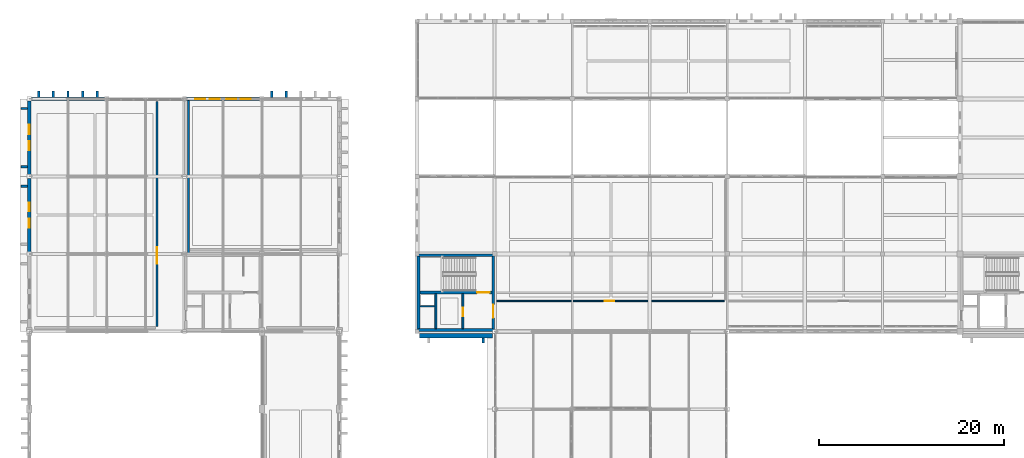
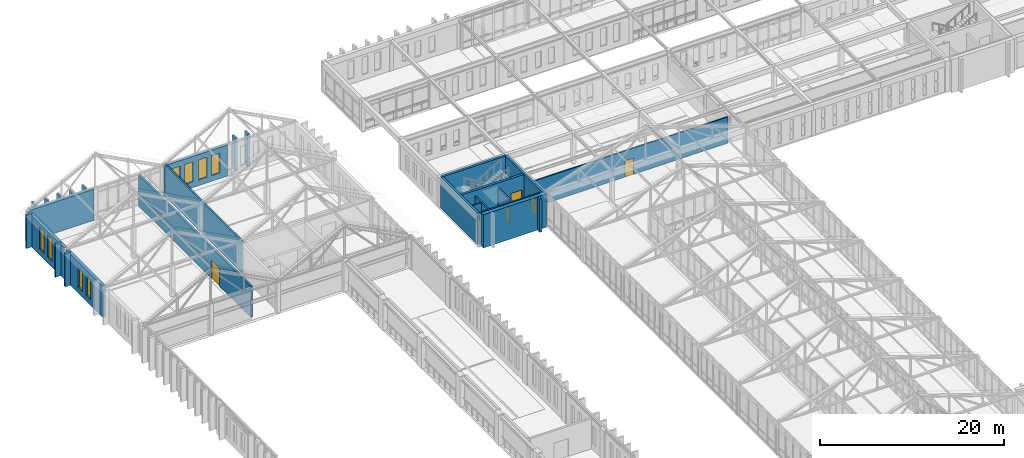
# One storey, part 166 of 192: 27 walls, 8 windows, 5 doors, 13 openings.
"""IFC4 building model written with IfcOpenShell, lengths in metres."""

from ifc_helpers import new_model, si_unit, direction, frame, frame_2d, origin, place, context, subcontext, project, spatial, rectangle, extrude, material, layer, layer_set, type_object, element, fill, save


model = new_model("IFC4")

# Units and contexts
model_context = context("Model", 3, precision=1e-05, world=origin(), true_north=direction((0.0, 1.0)))
body_context = subcontext(model_context, "Body", "Model", "MODEL_VIEW")
ifc_project = project(units=[si_unit("LENGTHUNIT", "METRE"), si_unit("AREAUNIT", "SQUARE_METRE"), si_unit("VOLUMEUNIT", "CUBIC_METRE"), si_unit("PLANEANGLEUNIT", "RADIAN"), si_unit("MASSUNIT", "GRAM", prefix="KILO")], contexts=[model_context])

# Site, building, storey
site_placement = place(None, origin())
site = spatial("IfcSite", under=ifc_project, at=site_placement, CompositionType="ELEMENT")
building_placement = place(site_placement, origin())
building = spatial("IfcBuilding", under=site, at=building_placement, Name="Kveldsbrygga Polytechnic", CompositionType="ELEMENT")
storey_placement = place(building_placement, frame((0.0, 0.0, 5.43994140625)))
storey = spatial("IfcBuildingStorey", under=building, at=storey_placement, Name="L01", CompositionType="ELEMENT", Elevation=5.43994140625)

# Wall
ifc_material_1 = material(Name="Fired clay brick masonry M10", Category="masonry")
ifc_layer_1 = layer(ifc_material_1, 0.47998046875)
ifc_layer_set_1 = layer_set([ifc_layer_1], Name="Fired clay brick masonry M10")
wall_type_1 = type_object("IfcWallType", Name="EW-BAST-480", PredefinedType="SOLIDWALL", material=ifc_layer_set_1)
wall_1_placement = place(storey_placement, frame((42.239990234375, 83.52001953125, 0.0), z_axis=(0.0, 0.0, 1.0), x_axis=(1.0, 0.0, 0.0)))
element("IfcWall", 1, at=wall_1_placement, inside=storey, type_object=wall_type_1, Name="Corner Stair Bastion Wall BAST-L01-X-05-10", PredefinedType="SOLIDWALL", context=body_context, shape_type="SweptSolid", body=[
    extrude(rectangle(XDim=7.919921875, YDim=0.47998046875, at=frame_2d((3.9599609375, 0.0))), origin(), (0.0, 0.0, 1.0), 4.420166015625),
])

# Wall, openings, windows
ifc_layer_2 = layer(ifc_material_1, 0.3798828125)
ifc_layer_set_2 = layer_set([ifc_layer_2], Name="Fired clay brick masonry M10")
wall_type_2 = type_object("IfcWallType", Name="EW-BRICK-380", PredefinedType="SOLIDWALL", material=ifc_layer_set_2)
wall_2_placement = place(storey_placement, frame((0.0, 92.625, 0.0), z_axis=(0.0, 0.0, 1.0), x_axis=(0.0, 1.0, 0.0)))
wall_2 = element("IfcWall", 2, at=wall_2_placement, inside=storey, type_object=wall_type_2, Name="Exterior Brick Wall EW-L01-Y-00-11", PredefinedType="SOLIDWALL", context=body_context, shape_type="SweptSolid", body=[
    extrude(rectangle(XDim=7.949951171875, YDim=0.3798828125, at=frame_2d((3.97509765625, 0.0))), origin(), (0.0, 0.0, 1.0), 4.1201171875),
])
opening_1_placement = place(wall_2_placement, frame((2.630615234375, 0.0, 0.75)))
opening_1 = element("IfcOpeningElement", 3, at=opening_1_placement, cuts=wall_2, Name="Opening W-24", PredefinedType="OPENING", context=body_context, shape_type="SweptSolid", body=[
    extrude(rectangle(XDim=0.93994140625, YDim=2.550048828125, at=frame_2d((0.469970703125, 1.27490234375))), frame((0.0, 0.199951171875, 0.0), z_axis=(0.0, -1.0, 0.0), x_axis=(1.0, 0.0, 0.0)), (0.0, 0.0, 1.0), 0.39990234375),
])
opening_2_placement = place(wall_2_placement, frame((4.37939453125, 0.0, 0.75)))
opening_2 = element("IfcOpeningElement", 4, at=opening_2_placement, cuts=wall_2, Name="Opening W-24", PredefinedType="OPENING", context=body_context, shape_type="SweptSolid", body=[
    extrude(rectangle(XDim=0.93994140625, YDim=2.550048828125, at=frame_2d((0.469970703125, 1.27490234375))), frame((0.0, 0.199951171875, 0.0), z_axis=(0.0, -1.0, 0.0), x_axis=(1.0, 0.0, 0.0)), (0.0, 0.0, 1.0), 0.39990234375),
])
ifc_material_2 = material(Name="Insulated triple low-E glass", Category="glass")
window_type_1 = type_object("IfcWindowType", Name="WN-LANC-094x255", PartitioningType="DOUBLE_PANEL_VERTICAL", PredefinedType="WINDOW", material=ifc_material_2)
window_1_placement = place(opening_1_placement, origin())
window_1 = element("IfcWindow", 5, at=window_1_placement, inside=storey, type_object=window_type_1, Name="Gothic Lancet Window WIN-L01-Y-00-11-2", OverallHeight=2.550048828125, OverallWidth=0.93994140625, PartitioningType="DOUBLE_PANEL_VERTICAL", PredefinedType="WINDOW", context=body_context, shape_type="SweptSolid", body=[
    extrude(rectangle(XDim=0.93994140625, YDim=2.550048828125, at=frame_2d((0.469970703125, 1.27490234375))), frame((0.0, 0.030029296875, 0.0), z_axis=(0.0, -1.0, 0.0), x_axis=(1.0, 0.0, 0.0)), (0.0, 0.0, 1.0), 0.06005859375),
])
fill(opening_1, window_1)
window_2_placement = place(opening_2_placement, origin())
window_2 = element("IfcWindow", 6, at=window_2_placement, inside=storey, type_object=window_type_1, Name="Gothic Lancet Window WIN-L01-Y-00-11-3", OverallHeight=2.550048828125, OverallWidth=0.93994140625, PartitioningType="DOUBLE_PANEL_VERTICAL", PredefinedType="WINDOW", context=body_context, shape_type="SweptSolid", body=[
    extrude(rectangle(XDim=0.93994140625, YDim=2.550048828125, at=frame_2d((0.469970703125, 1.27490234375))), frame((0.0, 0.030029296875, 0.0), z_axis=(0.0, -1.0, 0.0), x_axis=(1.0, 0.0, 0.0)), (0.0, 0.0, 1.0), 0.06005859375),
])
fill(opening_2, window_2)

# Wall
wall_3_placement = place(storey_placement, frame((0.22509765625, 109.199951171875, 0.0), z_axis=(0.0, 0.0, 1.0), x_axis=(1.0, 0.0, 0.0)))
element("IfcWall", 7, at=wall_3_placement, inside=storey, type_object=wall_type_2, Name="Exterior Brick Wall EW-L01-X-00-13", PredefinedType="SOLIDWALL", context=body_context, shape_type="SweptSolid", body=[
    extrude(rectangle(XDim=7.96484375, YDim=0.3798828125, at=frame_2d((3.982421875, 0.0))), origin(), (0.0, 0.0, 1.0), 4.1201171875),
])

# Wall, openings, windows
wall_4_placement = place(storey_placement, frame((16.985107421875, 109.199951171875, 0.0), z_axis=(0.0, 0.0, 1.0), x_axis=(1.0, 0.0, 0.0)))
wall_4 = element("IfcWall", 8, at=wall_4_placement, inside=storey, type_object=wall_type_2, Name="Exterior Brick Wall EW-L01-X-02-13", PredefinedType="SOLIDWALL", context=body_context, shape_type="SweptSolid", body=[
    extrude(rectangle(XDim=7.989990234375, YDim=0.3798828125, at=frame_2d((3.9951171875, 0.0))), origin(), (0.0, 0.0, 1.0), 4.1201171875),
])
opening_3_placement = place(wall_4_placement, frame((0.97802734375, 0.0, 0.75)))
opening_3 = element("IfcOpeningElement", 9, at=opening_3_placement, cuts=wall_4, Name="Opening W-40", PredefinedType="OPENING", context=body_context, shape_type="SweptSolid", body=[
    extrude(rectangle(XDim=1.080078125, YDim=2.64990234375, at=frame_2d((0.5400390625, 1.324951171875))), frame((0.0, 0.199951171875, 0.0), z_axis=(0.0, -1.0, 0.0), x_axis=(1.0, 0.0, 0.0)), (0.0, 0.0, 1.0), 0.39990234375),
])
opening_4_placement = place(wall_4_placement, frame((2.576171875, 0.0, 0.75)))
opening_4 = element("IfcOpeningElement", 10, at=opening_4_placement, cuts=wall_4, Name="Opening W-40", PredefinedType="OPENING", context=body_context, shape_type="SweptSolid", body=[
    extrude(rectangle(XDim=1.080078125, YDim=2.64990234375, at=frame_2d((0.5400390625, 1.324951171875))), frame((0.0, 0.199951171875, 0.0), z_axis=(0.0, -1.0, 0.0), x_axis=(1.0, 0.0, 0.0)), (0.0, 0.0, 1.0), 0.39990234375),
])
opening_5_placement = place(wall_4_placement, frame((4.333984375, 0.0, 0.75)))
opening_5 = element("IfcOpeningElement", 11, at=opening_5_placement, cuts=wall_4, Name="Opening W-40", PredefinedType="OPENING", context=body_context, shape_type="SweptSolid", body=[
    extrude(rectangle(XDim=1.080078125, YDim=2.64990234375, at=frame_2d((0.5400390625, 1.324951171875))), frame((0.0, 0.199951171875, 0.0), z_axis=(0.0, -1.0, 0.0), x_axis=(1.0, 0.0, 0.0)), (0.0, 0.0, 1.0), 0.39990234375),
])
opening_6_placement = place(wall_4_placement, frame((5.931884765625, 0.0, 0.75)))
opening_6 = element("IfcOpeningElement", 12, at=opening_6_placement, cuts=wall_4, Name="Opening W-40", PredefinedType="OPENING", context=body_context, shape_type="SweptSolid", body=[
    extrude(rectangle(XDim=1.080078125, YDim=2.64990234375, at=frame_2d((0.5400390625, 1.324951171875))), frame((0.0, 0.199951171875, 0.0), z_axis=(0.0, -1.0, 0.0), x_axis=(1.0, 0.0, 0.0)), (0.0, 0.0, 1.0), 0.39990234375),
])
window_type_2 = type_object("IfcWindowType", Name="WN-LANC-108x265", PartitioningType="DOUBLE_PANEL_VERTICAL", PredefinedType="WINDOW", material=ifc_material_2)
window_3_placement = place(opening_3_placement, origin())
window_3 = element("IfcWindow", 13, at=window_3_placement, inside=storey, type_object=window_type_2, Name="Gothic Lancet Window WIN-L01-X-02-13-1", OverallHeight=2.64990234375, OverallWidth=1.080078125, PartitioningType="DOUBLE_PANEL_VERTICAL", PredefinedType="WINDOW", context=body_context, shape_type="SweptSolid", body=[
    extrude(rectangle(XDim=1.080078125, YDim=2.64990234375, at=frame_2d((0.5400390625, 1.324951171875))), frame((0.0, 0.030029296875, 0.0), z_axis=(0.0, -1.0, 0.0), x_axis=(1.0, 0.0, 0.0)), (0.0, 0.0, 1.0), 0.06005859375),
])
fill(opening_3, window_3)
window_4_placement = place(opening_4_placement, origin())
window_4 = element("IfcWindow", 14, at=window_4_placement, inside=storey, type_object=window_type_2, Name="Gothic Lancet Window WIN-L01-X-02-13-2", OverallHeight=2.64990234375, OverallWidth=1.080078125, PartitioningType="DOUBLE_PANEL_VERTICAL", PredefinedType="WINDOW", context=body_context, shape_type="SweptSolid", body=[
    extrude(rectangle(XDim=1.080078125, YDim=2.64990234375, at=frame_2d((0.5400390625, 1.324951171875))), frame((0.0, 0.030029296875, 0.0), z_axis=(0.0, -1.0, 0.0), x_axis=(1.0, 0.0, 0.0)), (0.0, 0.0, 1.0), 0.06005859375),
])
fill(opening_4, window_4)
window_5_placement = place(opening_5_placement, origin())
window_5 = element("IfcWindow", 15, at=window_5_placement, inside=storey, type_object=window_type_2, Name="Gothic Lancet Window WIN-L01-X-02-13-3", OverallHeight=2.64990234375, OverallWidth=1.080078125, PartitioningType="DOUBLE_PANEL_VERTICAL", PredefinedType="WINDOW", context=body_context, shape_type="SweptSolid", body=[
    extrude(rectangle(XDim=1.080078125, YDim=2.64990234375, at=frame_2d((0.5400390625, 1.324951171875))), frame((0.0, 0.030029296875, 0.0), z_axis=(0.0, -1.0, 0.0), x_axis=(1.0, 0.0, 0.0)), (0.0, 0.0, 1.0), 0.06005859375),
])
fill(opening_5, window_5)
window_6_placement = place(opening_6_placement, origin())
window_6 = element("IfcWindow", 16, at=window_6_placement, inside=storey, type_object=window_type_2, Name="Gothic Lancet Window WIN-L01-X-02-13-4", OverallHeight=2.64990234375, OverallWidth=1.080078125, PartitioningType="DOUBLE_PANEL_VERTICAL", PredefinedType="WINDOW", context=body_context, shape_type="SweptSolid", body=[
    extrude(rectangle(XDim=1.080078125, YDim=2.64990234375, at=frame_2d((0.5400390625, 1.324951171875))), frame((0.0, 0.030029296875, 0.0), z_axis=(0.0, -1.0, 0.0), x_axis=(1.0, 0.0, 0.0)), (0.0, 0.0, 1.0), 0.06005859375),
])
fill(opening_6, window_6)

ifc_layer_3 = layer(ifc_material_1, 0.39990234375)
ifc_layer_set_3 = layer_set([ifc_layer_3], Name="Fired clay brick masonry M10")
wall_type_3 = type_object("IfcWallType", Name="EW-BRICK-400", PredefinedType="SOLIDWALL", material=ifc_layer_set_3)
wall_5_placement = place(storey_placement, frame((0.0, 101.02490234375, 0.0), z_axis=(0.0, 0.0, 1.0), x_axis=(0.0, 1.0, 0.0)))
wall_5 = element("IfcWall", 17, at=wall_5_placement, inside=storey, type_object=wall_type_3, Name="Exterior Brick Wall EW-L01-Y-00-12", PredefinedType="SOLIDWALL", context=body_context, shape_type="SweptSolid", body=[
    extrude(rectangle(XDim=7.9501953125, YDim=0.39990234375, at=frame_2d((3.97509765625, 0.0))), origin(), (0.0, 0.0, 1.0), 4.1201171875),
])
opening_7_placement = place(wall_5_placement, frame((2.610595703125, 0.0, 0.75)))
opening_7 = element("IfcOpeningElement", 18, at=opening_7_placement, cuts=wall_5, Name="Opening W-29", PredefinedType="OPENING", context=body_context, shape_type="SweptSolid", body=[
    extrude(rectangle(XDim=0.97998046875, YDim=2.949951171875, at=frame_2d((0.489990234375, 1.47509765625))), frame((0.0, 0.2099609375, 0.0), z_axis=(0.0, -1.0, 0.0), x_axis=(1.0, 0.0, 0.0)), (0.0, 0.0, 1.0), 0.419921875),
])
opening_8_placement = place(wall_5_placement, frame((4.359619140625, 0.0, 0.75)))
opening_8 = element("IfcOpeningElement", 19, at=opening_8_placement, cuts=wall_5, Name="Opening W-29", PredefinedType="OPENING", context=body_context, shape_type="SweptSolid", body=[
    extrude(rectangle(XDim=0.97998046875, YDim=2.949951171875, at=frame_2d((0.489990234375, 1.47509765625))), frame((0.0, 0.2099609375, 0.0), z_axis=(0.0, -1.0, 0.0), x_axis=(1.0, 0.0, 0.0)), (0.0, 0.0, 1.0), 0.419921875),
])
window_type_3 = type_object("IfcWindowType", Name="WN-LANC-098x295", PartitioningType="DOUBLE_PANEL_VERTICAL", PredefinedType="WINDOW", material=ifc_material_2)
window_7_placement = place(opening_7_placement, origin())
window_7 = element("IfcWindow", 20, at=window_7_placement, inside=storey, type_object=window_type_3, Name="Gothic Lancet Window WIN-L01-Y-00-12-2", OverallHeight=2.949951171875, OverallWidth=0.97998046875, PartitioningType="DOUBLE_PANEL_VERTICAL", PredefinedType="WINDOW", context=body_context, shape_type="SweptSolid", body=[
    extrude(rectangle(XDim=0.97998046875, YDim=2.949951171875, at=frame_2d((0.489990234375, 1.47509765625))), frame((0.0, 0.030029296875, 0.0), z_axis=(0.0, -1.0, 0.0), x_axis=(1.0, 0.0, 0.0)), (0.0, 0.0, 1.0), 0.06005859375),
])
fill(opening_7, window_7)
window_8_placement = place(opening_8_placement, origin())
window_8 = element("IfcWindow", 21, at=window_8_placement, inside=storey, type_object=window_type_3, Name="Gothic Lancet Window WIN-L01-Y-00-12-3", OverallHeight=2.949951171875, OverallWidth=0.97998046875, PartitioningType="DOUBLE_PANEL_VERTICAL", PredefinedType="WINDOW", context=body_context, shape_type="SweptSolid", body=[
    extrude(rectangle(XDim=0.97998046875, YDim=2.949951171875, at=frame_2d((0.489990234375, 1.47509765625))), frame((0.0, 0.030029296875, 0.0), z_axis=(0.0, -1.0, 0.0), x_axis=(1.0, 0.0, 0.0)), (0.0, 0.0, 1.0), 0.06005859375),
])
fill(opening_8, window_8)

# Walls
ifc_layer_4 = layer(ifc_material_1, 0.260009765625)
ifc_layer_set_4 = layer_set([ifc_layer_4], Name="Fired clay brick masonry M10")
wall_type_4 = type_object("IfcWallType", Name="EW-BUTT-260", PredefinedType="SOLIDWALL", material=ifc_layer_set_4)
for number, where, z_axis, x_axis, name in (
    (22, (-0.1650390625, 99.75, 0.0), (0.0, 0.0, 1.0), (-1.0, 0.0, 0.0), "Gothic Brick Buttress Pier BUTT-L01-Y-00-11-5"),
    (23, (1.050048828125, 109.364990234375, 0.0), (0.0, 0.0, 1.0), (0.0, 1.0, 0.0), "Gothic Brick Buttress Pier BUTT-L01-X-00-13-1"),
    (24, (2.6201171875, 109.364990234375, 0.0), (0.0, 0.0, 1.0), (0.0, 1.0, 0.0), "Gothic Brick Buttress Pier BUTT-L01-X-00-13-2"),
    (25, (4.199951171875, 109.364990234375, 0.0), (0.0, 0.0, 1.0), (0.0, 1.0, 0.0), "Gothic Brick Buttress Pier BUTT-L01-X-00-13-3"),
    (26, (5.780029296875, 109.364990234375, 0.0), (0.0, 0.0, 1.0), (0.0, 1.0, 0.0), "Gothic Brick Buttress Pier BUTT-L01-X-00-13-4"),
    (27, (7.35009765625, 109.364990234375, 0.0), (0.0, 0.0, 1.0), (0.0, 1.0, 0.0), "Gothic Brick Buttress Pier BUTT-L01-X-00-13-5"),
    (28, (-0.1650390625, 101.85009765625, 0.0), (0.0, 0.0, 1.0), (-1.0, 0.0, 0.0), "Gothic Brick Buttress Pier BUTT-L01-Y-00-12-1"),
    (29, (-0.1650390625, 108.14990234375, 0.0), (0.0, 0.0, 1.0), (-1.0, 0.0, 0.0), "Gothic Brick Buttress Pier BUTT-L01-Y-00-12-5"),
    (30, (26.25, 109.364990234375, 0.0), (0.0, 0.0, 1.0), (0.0, 1.0, 0.0), "Gothic Brick Buttress Pier BUTT-L01-X-03-13-1"),
    (31, (27.820068359375, 109.364990234375, 0.0), (0.0, 0.0, 1.0), (0.0, 1.0, 0.0), "Gothic Brick Buttress Pier BUTT-L01-X-03-13-2"),
):
    element("IfcWall", number, at=place(storey_placement, frame(where, z_axis=z_axis, x_axis=x_axis)), inside=storey, type_object=wall_type_4, Name=name, PredefinedType="SOLIDWALL", context=body_context, shape_type="SweptSolid", body=[
        extrude(rectangle(XDim=0.699951171875, YDim=0.260009765625, at=frame_2d((0.35009765625, 0.0))), origin(), (0.0, 0.0, 1.0), 4.420166015625),
    ])
wall_6_placement = place(storey_placement, frame((49.14990234375, 83.300048828125, 0.0), z_axis=(0.0, 0.0, 1.0), x_axis=(0.0, -1.0, 0.0)))
element("IfcWall", 32, at=wall_6_placement, inside=storey, type_object=wall_type_4, Name="Gothic Brick Buttress Pier BCLAS-L01-X-05-10-2", PredefinedType="SOLIDWALL", context=body_context, shape_type="SweptSolid", body=[
    extrude(rectangle(XDim=0.52001953125, YDim=0.260009765625, at=frame_2d((0.260009765625, 0.0))), origin(), (0.0, 0.0, 1.0), 4.420166015625),
])

# Wall, opening, door
ifc_layer_5 = layer(ifc_material_1, 0.239990234375)
ifc_layer_set_5 = layer_set([ifc_layer_5], Name="Fired clay brick masonry M10")
wall_type_5 = type_object("IfcWallType", Name="IW-COMP-240", PredefinedType="PARTITIONING", material=ifc_layer_set_5)
wall_7_placement = place(storey_placement, frame((13.85009765625, 84.550048828125, 0.0), z_axis=(0.0, 0.0, 1.0), x_axis=(0.0, 1.0, 0.0)))
wall_7 = element("IfcWall", 33, at=wall_7_placement, inside=storey, type_object=wall_type_5, Name="Partition Wall IW-SP-L01-WK3W-E1", PredefinedType="PARTITIONING", context=body_context, shape_type="SweptSolid", body=[
    extrude(rectangle(XDim=24.369873046875, YDim=0.239990234375, at=frame_2d((12.18505859375, 0.0))), origin(), (0.0, 0.0, 1.0), 4.1201171875),
])
opening_9_placement = place(wall_7_placement, frame((6.77099609375, 0.0, 0.0)))
opening_9 = element("IfcOpeningElement", 34, at=opening_9_placement, cuts=wall_7, Name="Opening ID-L01-042", PredefinedType="OPENING", context=body_context, shape_type="SweptSolid", body=[
    extrude(rectangle(XDim=1.800048828125, YDim=2.39990234375, at=frame_2d((0.89990234375, 1.199951171875))), frame((0.0, 0.1298828125, 0.0), z_axis=(0.0, -1.0, 0.0), x_axis=(1.0, 0.0, 0.0)), (0.0, 0.0, 1.0), 0.260009765625),
])
ifc_material_3 = material(Name="Powder-coated galvanised steel", Category="steel")
door_type_1 = type_object("IfcDoorType", Name="ID-WRK-180x240", OperationType="DOUBLE_DOOR_SINGLE_SWING", PredefinedType="DOOR", material=ifc_material_3)
door_1_placement = place(opening_9_placement, origin())
door_1 = element("IfcDoor", 35, at=door_1_placement, inside=storey, type_object=door_type_1, Name="Interior Door ID-L01-042", OperationType="DOUBLE_DOOR_SINGLE_SWING", OverallHeight=2.39990234375, OverallWidth=1.800048828125, PredefinedType="DOOR", context=body_context, shape_type="SweptSolid", body=[
    extrude(rectangle(XDim=1.800048828125, YDim=2.39990234375, at=frame_2d((0.89990234375, 1.199951171875))), frame((0.0, 0.02490234375, 0.0), z_axis=(0.0, -1.0, 0.0), x_axis=(1.0, 0.0, 0.0)), (0.0, 0.0, 1.0), 0.050048828125),
])
fill(opening_9, door_1)

# Walls
wall_8_placement = place(storey_placement, frame((17.25, 92.429931640625, 0.0), z_axis=(0.0, 0.0, 1.0), x_axis=(0.0, 1.0, 0.0)))
element("IfcWall", 36, at=wall_8_placement, inside=storey, type_object=wall_type_5, Name="Partition Wall IW-SP-L01-WK3-W1", PredefinedType="PARTITIONING", context=body_context, shape_type="SweptSolid", body=[
    extrude(rectangle(XDim=16.590087890625, YDim=0.239990234375, at=frame_2d((8.294921875, 0.0))), origin(), (0.0, 0.0, 1.0), 4.1201171875),
])
ifc_material_4 = material(Name="Moisture-resistant masonry M10", Category="masonry")
ifc_layer_6 = layer(ifc_material_4, 0.1298828125)
ifc_layer_set_6 = layer_set([ifc_layer_6], Name="Moisture-resistant masonry M10")
wall_type_6 = type_object("IfcWallType", Name="IW-SAN-130", PredefinedType="PARTITIONING", material=ifc_layer_set_6)
wall_9_placement = place(storey_placement, frame((42.320068359375, 86.739990234375, 0.0), z_axis=(0.0, 0.0, 1.0), x_axis=(1.0, 0.0, 0.0)))
element("IfcWall", 37, at=wall_9_placement, inside=storey, type_object=wall_type_6, Name="Core AWC Divider C7-L01-W-RSR", PredefinedType="PARTITIONING", context=body_context, shape_type="SweptSolid", body=[
    extrude(rectangle(XDim=1.619873046875, YDim=0.1298828125, at=frame_2d((0.81005859375, 0.0))), origin(), (0.0, 0.0, 1.0), 3.3701171875),
])

# Wall, opening, door
ifc_material_5 = material(Name="Gypsum acoustic stud partition")
ifc_layer_7 = layer(ifc_material_5, 0.14990234375)
ifc_layer_set_7 = layer_set([ifc_layer_7], Name="Gypsum acoustic stud partition")
wall_type_7 = type_object("IfcWallType", Name="IW-SEM-150", PredefinedType="PARTITIONING", material=ifc_layer_set_7)
wall_10_placement = place(storey_placement, frame((50.429931640625, 87.300048828125, 0.0), z_axis=(0.0, 0.0, 1.0), x_axis=(1.0, 0.0, 0.0)))
wall_10 = element("IfcWall", 38, at=wall_10_placement, inside=storey, type_object=wall_type_7, Name="Partition Wall IW-SP-L01-SEM11-S1", PredefinedType="PARTITIONING", context=body_context, shape_type="SweptSolid", body=[
    extrude(rectangle(XDim=24.820068359375, YDim=0.14990234375, at=frame_2d((12.41015625, 0.0))), origin(), (0.0, 0.0, 1.0), 3.469970703125),
])
opening_10_placement = place(wall_10_placement, frame((11.885009765625, 0.0, 0.0)))
opening_10 = element("IfcOpeningElement", 39, at=opening_10_placement, cuts=wall_10, Name="Opening ID-L01-047", PredefinedType="OPENING", context=body_context, shape_type="SweptSolid", body=[
    extrude(rectangle(XDim=1.050048828125, YDim=2.14990234375, at=frame_2d((0.52490234375, 1.074951171875))), frame((0.0, 0.0849609375, 0.0), z_axis=(0.0, -1.0, 0.0), x_axis=(1.0, 0.0, 0.0)), (0.0, 0.0, 1.0), 0.169921875),
])
ifc_material_6 = material(Name="Acoustic oak timber", Category="wood")
door_type_2 = type_object("IfcDoorType", Name="ID-SEM-105x215", OperationType="NOTDEFINED", PredefinedType="DOOR", material=ifc_material_6)
door_2_placement = place(opening_10_placement, origin())
door_2 = element("IfcDoor", 40, at=door_2_placement, inside=storey, type_object=door_type_2, Name="Interior Door ID-L01-047", OperationType="SINGLE_SWING_RIGHT", OverallHeight=2.14990234375, OverallWidth=1.050048828125, PredefinedType="DOOR", context=body_context, shape_type="SweptSolid", body=[
    extrude(rectangle(XDim=1.050048828125, YDim=2.14990234375, at=frame_2d((0.52490234375, 1.074951171875))), frame((0.0, 0.02490234375, 0.0), z_axis=(0.0, -1.0, 0.0), x_axis=(1.0, 0.0, 0.0)), (0.0, 0.0, 1.0), 0.050048828125),
])
fill(opening_10, door_2)

# Walls
ifc_material_7 = material(Name="Concrete C45/55", Category="concrete")
ifc_layer_8 = layer(ifc_material_7, 0.300048828125)
ifc_layer_set_8 = layer_set([ifc_layer_8], Name="Concrete C45/55")
wall_type_8 = type_object("IfcWallType", Name="WL-CORE-300", PredefinedType="SHEAR", material=ifc_layer_set_8)
for number, where, z_axis, x_axis, name in (
    (41, (42.14990234375, 84.14990234375, 0.0), (0.0, 0.0, 1.0), (1.0, 0.0, 0.0), "Core C7 Shear Wall C7-L01-SW-S"),
    (42, (42.14990234375, 92.25, 0.0), (0.0, 0.0, 1.0), (1.0, 0.0, 0.0), "Core C7 Shear Wall C7-L01-SW-N"),
    (43, (42.14990234375, 84.14990234375, 0.0), (0.0, 0.0, 1.0), (0.0, 1.0, 0.0), "Core C7 Shear Wall C7-L01-SW-W"),
):
    element("IfcWall", number, at=place(storey_placement, frame(where, z_axis=z_axis, x_axis=x_axis)), inside=storey, type_object=wall_type_8, Name=name, PredefinedType="SHEAR", context=body_context, shape_type="SweptSolid", body=[
        extrude(rectangle(XDim=8.10009765625, YDim=0.300048828125, at=frame_2d((4.050048828125, 0.0))), origin(), (0.0, 0.0, 1.0), 4.1201171875),
    ])

# Wall, opening, door
wall_11_placement = place(storey_placement, frame((50.25, 84.14990234375, 0.0), z_axis=(0.0, 0.0, 1.0), x_axis=(0.0, 1.0, 0.0)))
wall_11 = element("IfcWall", 44, at=wall_11_placement, inside=storey, type_object=wall_type_8, Name="Core C7 Shear Wall C7-L01-SW-E", PredefinedType="SHEAR", context=body_context, shape_type="SweptSolid", body=[
    extrude(rectangle(XDim=8.10009765625, YDim=0.300048828125, at=frame_2d((4.050048828125, 0.0))), origin(), (0.0, 0.0, 1.0), 4.1201171875),
])
opening_11_placement = place(wall_11_placement, frame((1.324951171875, 0.0, 0.0)))
opening_11 = element("IfcOpeningElement", 45, at=opening_11_placement, cuts=wall_11, Name="Opening FD-C7-L01-LOB", PredefinedType="OPENING", context=body_context, shape_type="SweptSolid", body=[
    extrude(rectangle(XDim=1.449951171875, YDim=2.14990234375, at=frame_2d((0.72509765625, 1.074951171875))), frame((0.0, 0.16015625, 0.0), z_axis=(0.0, -1.0, 0.0), x_axis=(1.0, 0.0, 0.0)), (0.0, 0.0, 1.0), 0.320068359375),
])
door_type_3 = type_object("IfcDoorType", Name="ID-LOBBY-145x215", OperationType="DOUBLE_DOOR_SINGLE_SWING", PredefinedType="DOOR", material=ifc_material_3)
door_3_placement = place(opening_11_placement, origin())
door_3 = element("IfcDoor", 46, at=door_3_placement, inside=storey, type_object=door_type_3, Name="Core Lobby Fire Door FD-C7-L01-LOB", OperationType="DOUBLE_DOOR_SINGLE_SWING", OverallHeight=2.14990234375, OverallWidth=1.449951171875, PredefinedType="DOOR", context=body_context, shape_type="SweptSolid", body=[
    extrude(rectangle(XDim=1.449951171875, YDim=2.14990234375, at=frame_2d((0.72509765625, 1.074951171875))), frame((0.0, 0.02490234375, 0.0), z_axis=(0.0, -1.0, 0.0), x_axis=(1.0, 0.0, 0.0)), (0.0, 0.0, 1.0), 0.050048828125),
])
fill(opening_11, door_3)

wall_12_placement = place(storey_placement, frame((42.300048828125, 88.22998046875, 0.0), z_axis=(0.0, 0.0, 1.0), x_axis=(1.0, 0.0, 0.0)))
wall_12 = element("IfcWall", 47, at=wall_12_placement, inside=storey, type_object=wall_type_8, Name="Core C7 Shear Wall C7-L01-W-DIV", PredefinedType="SHEAR", context=body_context, shape_type="SweptSolid", body=[
    extrude(rectangle(XDim=7.800048828125, YDim=0.300048828125, at=frame_2d((3.89990234375, 0.0))), origin(), (0.0, 0.0, 1.0), 4.1201171875),
])
opening_12_placement = place(wall_12_placement, frame((6.199951171875, 0.0, 0.0)))
opening_12 = element("IfcOpeningElement", 48, at=opening_12_placement, cuts=wall_12, Name="Opening FD-C7-L01-ST", PredefinedType="OPENING", context=body_context, shape_type="SweptSolid", body=[
    extrude(rectangle(XDim=1.35009765625, YDim=2.14990234375, at=frame_2d((0.675048828125, 1.074951171875))), frame((0.0, 0.16015625, 0.0), z_axis=(0.0, -1.0, 0.0), x_axis=(1.0, 0.0, 0.0)), (0.0, 0.0, 1.0), 0.320068359375),
])
door_type_4 = type_object("IfcDoorType", Name="ID-STAIR-135x215", OperationType="NOTDEFINED", PredefinedType="DOOR", material=ifc_material_3)
door_4_placement = place(opening_12_placement, origin())
door_4 = element("IfcDoor", 49, at=door_4_placement, inside=storey, type_object=door_type_4, Name="Stair Fire Door FD-C7-L01-ST", OperationType="SINGLE_SWING_RIGHT", OverallHeight=2.14990234375, OverallWidth=1.35009765625, PredefinedType="DOOR", context=body_context, shape_type="SweptSolid", body=[
    extrude(rectangle(XDim=1.35009765625, YDim=2.14990234375, at=frame_2d((0.675048828125, 1.074951171875))), frame((0.0, 0.02490234375, 0.0), z_axis=(0.0, -1.0, 0.0), x_axis=(1.0, 0.0, 0.0)), (0.0, 0.0, 1.0), 0.050048828125),
])
fill(opening_12, door_4)

ifc_material_8 = material(Name="Concrete C35/45", Category="concrete")
ifc_layer_9 = layer(ifc_material_8, 0.199951171875)
ifc_layer_set_9 = layer_set([ifc_layer_9], Name="Concrete C35/45")
wall_type_9 = type_object("IfcWallType", Name="WL-SHFT-200", PredefinedType="SHEAR", material=ifc_layer_set_9)
wall_13_placement = place(storey_placement, frame((46.9599609375, 84.300048828125, 0.0), z_axis=(0.0, 0.0, 1.0), x_axis=(0.0, 1.0, 0.0)))
wall_13 = element("IfcWall", 50, at=wall_13_placement, inside=storey, type_object=wall_type_9, Name="Lift Front Wall C7-L01-W-LFR", PredefinedType="SHEAR", context=body_context, shape_type="SweptSolid", body=[
    extrude(rectangle(XDim=3.800048828125, YDim=0.199951171875, at=frame_2d((1.89990234375, 0.0))), origin(), (0.0, 0.0, 1.0), 3.380126953125),
])
opening_13_placement = place(wall_13_placement, frame((1.35009765625, 0.0, 0.0)))
opening_13 = element("IfcOpeningElement", 51, at=opening_13_placement, cuts=wall_13, Name="Opening ID-C7-L01-STR", PredefinedType="OPENING", context=body_context, shape_type="SweptSolid", body=[
    extrude(rectangle(XDim=0.949951171875, YDim=2.10009765625, at=frame_2d((0.47509765625, 1.050048828125))), frame((0.0, 0.10986328125, 0.0), z_axis=(0.0, -1.0, 0.0), x_axis=(1.0, 0.0, 0.0)), (0.0, 0.0, 1.0), 0.219970703125),
])
door_type_5 = type_object("IfcDoorType", Name="ID-OFF-095x210", OperationType="NOTDEFINED", PredefinedType="DOOR", material=ifc_material_6)
door_5_placement = place(opening_13_placement, origin())
door_5 = element("IfcDoor", 52, at=door_5_placement, inside=storey, type_object=door_type_5, Name="Cleaner Store Door ID-C7-L01-STR", OperationType="SINGLE_SWING_LEFT", OverallHeight=2.10009765625, OverallWidth=0.949951171875, PredefinedType="DOOR", context=body_context, shape_type="SweptSolid", body=[
    extrude(rectangle(XDim=0.949951171875, YDim=2.10009765625, at=frame_2d((0.47509765625, 1.050048828125))), frame((0.0, 0.02490234375, 0.0), z_axis=(0.0, -1.0, 0.0), x_axis=(1.0, 0.0, 0.0)), (0.0, 0.0, 1.0), 0.050048828125),
])
fill(opening_13, door_5)

# Wall
wall_14_placement = place(storey_placement, frame((44.0400390625, 84.300048828125, 0.0), z_axis=(0.0, 0.0, 1.0), x_axis=(0.0, 1.0, 0.0)))
element("IfcWall", 53, at=wall_14_placement, inside=storey, type_object=wall_type_9, Name="Lift Back Wall C7-L01-W-LBK", PredefinedType="SHEAR", context=body_context, shape_type="SweptSolid", body=[
    extrude(rectangle(XDim=3.800048828125, YDim=0.199951171875, at=frame_2d((1.89990234375, 0.0))), origin(), (0.0, 0.0, 1.0), 3.380126953125),
])

save(model, "model.ifc")
